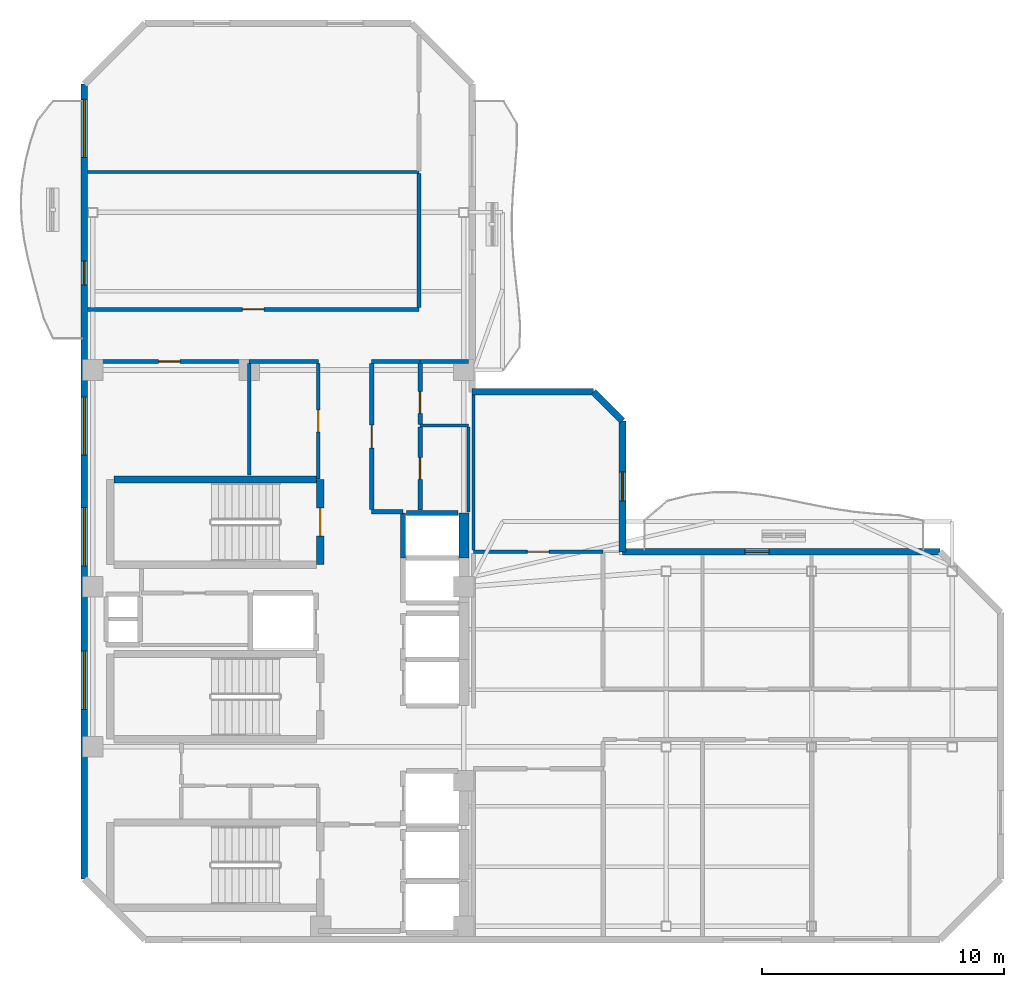
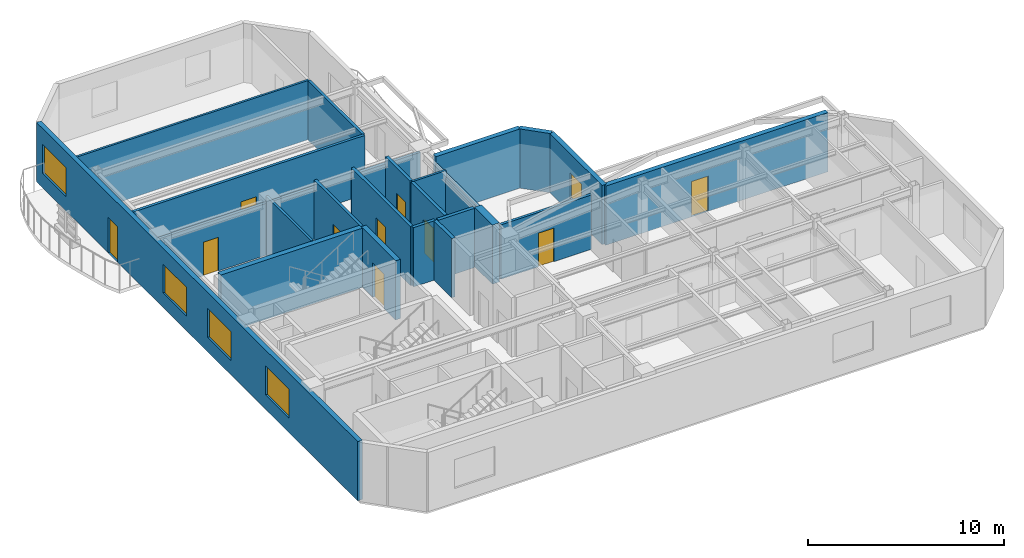
# One storey, part 4 of 7: 27 walls, 10 doors, 5 windows, 15 openings.
"""IFC4 building model written with IfcOpenShell, lengths in metres."""

from ifc_helpers import new_model, si_unit, direction, frame, frame_2d, origin, place, context, subcontext, project, spatial, rectangle, extrude, material, layer, layer_set, type_object, element, fill, save


model = new_model("IFC4")

# Units and contexts
model_context = context("Model", 3, precision=1e-05, world=origin(), true_north=direction((0.0, 1.0)))
body_context = subcontext(model_context, "Body", "Model", "MODEL_VIEW")
ifc_project = project(units=[si_unit("LENGTHUNIT", "METRE"), si_unit("AREAUNIT", "SQUARE_METRE"), si_unit("VOLUMEUNIT", "CUBIC_METRE"), si_unit("PLANEANGLEUNIT", "RADIAN"), si_unit("MASSUNIT", "GRAM", prefix="KILO")], contexts=[model_context])

# Site, building, storey
site_placement = place(None, origin())
site = spatial("IfcSite", under=ifc_project, at=site_placement, CompositionType="ELEMENT")
building_placement = place(site_placement, origin())
building = spatial("IfcBuilding", under=site, at=building_placement, Name="Mawjaban Terraces University", CompositionType="ELEMENT")
storey_placement = place(building_placement, frame((0.0, 0.0, 275.5)))
storey = spatial("IfcBuildingStorey", under=building, at=storey_placement, Name="L67", CompositionType="ELEMENT", Elevation=275.5)

# Walls
ifc_material_1 = material(Name="Acoustic masonry blockwork", Category="masonry")
ifc_layer_1 = layer(ifc_material_1, 0.179931640625)
ifc_layer_set_1 = layer_set([ifc_layer_1], Name="Acoustic masonry blockwork")
wall_type_1 = type_object("IfcWallType", Name="AcousticStudioWall_180", PredefinedType="PARTITIONING", material=ifc_layer_set_1)
wall_1_placement = place(storey_placement, frame((33.85009765625, 17.64990234375, 0.0), z_axis=(0.0, 0.0, 1.0), x_axis=(1.0, 0.0, 0.0)))
element("IfcWall", 1, at=wall_1_placement, inside=storey, type_object=wall_type_1, Name="L67 Graduate Research Collaboration Studio Partition 8", PredefinedType="PARTITIONING", context=body_context, shape_type="SweptSolid", body=[
    extrude(rectangle(XDim=1.2998046875, YDim=0.179931640625, at=frame_2d((0.64990234375, 0.0))), origin(), (0.0, 0.0, 1.0), 3.68994140625),
])
wall_2_placement = place(storey_placement, frame((35.85009765625, 23.85009765625, 0.0), z_axis=(0.0, 0.0, 1.0), x_axis=(-1.0, 0.0, 0.0)))
element("IfcWall", 2, at=wall_2_placement, inside=storey, type_object=wall_type_1, Name="L67 Graduate Research Collaboration Studio Partition 13", PredefinedType="PARTITIONING", context=body_context, shape_type="SweptSolid", body=[
    extrude(rectangle(XDim=2.0, YDim=0.179931640625, at=frame_2d((1.0, 0.0))), origin(), (0.0, 0.0, 1.0), 3.22705078125),
])

# Wall, opening, door
wall_3_placement = place(storey_placement, frame((33.85009765625, 17.735107421875, 0.0), z_axis=(0.0, 0.0, 1.0), x_axis=(0.0, 1.0, 0.0)))
wall_3 = element("IfcWall", 3, at=wall_3_placement, inside=storey, type_object=wall_type_1, Name="L67 Core North Lift Lobby Partition 32", PredefinedType="PARTITIONING", context=body_context, shape_type="SweptSolid", body=[
    extrude(rectangle(XDim=6.02978515625, YDim=0.179931640625, at=frame_2d((3.014892578125, 0.0))), origin(), (0.0, 0.0, 1.0), 3.68994140625),
])
opening_1_placement = place(wall_3_placement, frame((2.5400390625, 0.0, 0.0)))
opening_1 = element("IfcOpeningElement", 4, at=opening_1_placement, cuts=wall_3, Name="Opening ID-095", PredefinedType="OPENING", context=body_context, shape_type="SweptSolid", body=[
    extrude(rectangle(XDim=0.949951171875, YDim=2.10009765625, at=frame_2d((0.47509765625, 1.050048828125))), frame((0.0, 0.099853515625, 0.0), z_axis=(0.0, -1.0, 0.0), x_axis=(1.0, 0.0, 0.0)), (0.0, 0.0, 1.0), 0.199951171875),
])
ifc_material_2 = material(Name="Powder-coated steel frame and solid acoustic timber leaf", Category="steel")
door_type_1 = type_object("IfcDoorType", Name="StudioDoor_950x2100", OperationType="NOTDEFINED", PredefinedType="DOOR", material=ifc_material_2)
door_1_placement = place(opening_1_placement, origin())
door_1 = element("IfcDoor", 5, at=door_1_placement, inside=storey, type_object=door_type_1, Name="L67 Graduate Research Collaboration Studio Door", OperationType="SINGLE_SWING_LEFT", OverallHeight=2.10009765625, OverallWidth=0.949951171875, PredefinedType="DOOR", context=body_context, shape_type="SweptSolid", body=[
    extrude(rectangle(XDim=0.949951171875, YDim=2.10009765625, at=frame_2d((0.47509765625, 1.050048828125))), frame((0.0, 0.02490234375, 0.0), z_axis=(0.0, -1.0, 0.0), x_axis=(1.0, 0.0, 0.0)), (0.0, 0.0, 1.0), 0.050048828125),
])
fill(opening_1, door_1)

wall_4_placement = place(storey_placement, frame((35.85009765625, 17.72998046875, 0.0), z_axis=(0.0, 0.0, 1.0), x_axis=(0.0, 1.0, 0.0)))
wall_4 = element("IfcWall", 6, at=wall_4_placement, inside=storey, type_object=wall_type_1, Name="L67 Graduate Research Collaboration Studio Partition 35", PredefinedType="PARTITIONING", context=body_context, shape_type="SweptSolid", body=[
    extrude(rectangle(XDim=3.412109375, YDim=0.179931640625, at=frame_2d((1.7060546875, 0.0))), origin(), (0.0, 0.0, 1.0), 3.68994140625),
])
opening_2_placement = place(wall_4_placement, frame((1.256103515625, 0.0, 0.0)))
opening_2 = element("IfcOpeningElement", 7, at=opening_2_placement, cuts=wall_4, Name="Opening ID-090", PredefinedType="OPENING", context=body_context, shape_type="SweptSolid", body=[
    extrude(rectangle(XDim=0.89990234375, YDim=2.10009765625, at=frame_2d((0.449951171875, 1.050048828125))), frame((0.0, 0.099853515625, 0.0), z_axis=(0.0, -1.0, 0.0), x_axis=(1.0, 0.0, 0.0)), (0.0, 0.0, 1.0), 0.199951171875),
])
door_type_2 = type_object("IfcDoorType", Name="OfficeDoor_900x2100", OperationType="NOTDEFINED", PredefinedType="DOOR", material=ifc_material_2)
door_2_placement = place(opening_2_placement, origin())
door_2 = element("IfcDoor", 8, at=door_2_placement, inside=storey, type_object=door_type_2, Name="L67 Research Instrument Store Door", OperationType="SINGLE_SWING_LEFT", OverallHeight=2.10009765625, OverallWidth=0.89990234375, PredefinedType="DOOR", context=body_context, shape_type="SweptSolid", body=[
    extrude(rectangle(XDim=0.89990234375, YDim=2.10009765625, at=frame_2d((0.449951171875, 1.050048828125))), frame((0.0, 0.02490234375, 0.0), z_axis=(0.0, -1.0, 0.0), x_axis=(1.0, 0.0, 0.0)), (0.0, 0.0, 1.0), 0.050048828125),
])
fill(opening_2, door_2)

wall_5_placement = place(storey_placement, frame((35.85009765625, 21.258056640625, 0.0), z_axis=(0.0, 0.0, 1.0), x_axis=(0.0, 1.0, 0.0)))
wall_5 = element("IfcWall", 9, at=wall_5_placement, inside=storey, type_object=wall_type_1, Name="L67 Graduate Research Collaboration Studio Partition 36", PredefinedType="PARTITIONING", context=body_context, shape_type="SweptSolid", body=[
    extrude(rectangle(XDim=2.5068359375, YDim=0.179931640625, at=frame_2d((1.25341796875, 0.0))), origin(), (0.0, 0.0, 1.0), 3.68994140625),
])
opening_3_placement = place(wall_5_placement, frame((0.4541015625, 0.0, 0.0)))
opening_3 = element("IfcOpeningElement", 10, at=opening_3_placement, cuts=wall_5, Name="Opening ID-090", PredefinedType="OPENING", context=body_context, shape_type="SweptSolid", body=[
    extrude(rectangle(XDim=0.89990234375, YDim=2.10009765625, at=frame_2d((0.449951171875, 1.050048828125))), frame((0.0, 0.099853515625, 0.0), z_axis=(0.0, -1.0, 0.0), x_axis=(1.0, 0.0, 0.0)), (0.0, 0.0, 1.0), 0.199951171875),
])
door_3_placement = place(opening_3_placement, origin())
door_3 = element("IfcDoor", 11, at=door_3_placement, inside=storey, type_object=door_type_2, Name="L67 Graduate Quiet Study Alcove Door", OperationType="SINGLE_SWING_RIGHT", OverallHeight=2.10009765625, OverallWidth=0.89990234375, PredefinedType="DOOR", context=body_context, shape_type="SweptSolid", body=[
    extrude(rectangle(XDim=0.89990234375, YDim=2.10009765625, at=frame_2d((0.449951171875, 1.050048828125))), frame((0.0, 0.02490234375, 0.0), z_axis=(0.0, -1.0, 0.0), x_axis=(1.0, 0.0, 0.0)), (0.0, 0.0, 1.0), 0.050048828125),
])
fill(opening_3, door_3)

# Wall
ifc_material_3 = material(Name="Concrete C50/60", Category="concrete")
ifc_layer_2 = layer(ifc_material_3, 0.419921875)
ifc_layer_set_2 = layer_set([ifc_layer_2], Name="Concrete C50/60")
wall_type_2 = type_object("IfcWallType", Name="CoreShearWall_420", PredefinedType="SHEAR", material=ifc_layer_set_2)
wall_6_placement = place(storey_placement, frame((37.659912109375, 15.75, 0.0), z_axis=(0.0, 0.0, 1.0), x_axis=(0.0, 1.0, 0.0)))
element("IfcWall", 12, at=wall_6_placement, inside=storey, type_object=wall_type_2, Name="L67 Lift OL-2 Hoistway Wall East", PredefinedType="SHEAR", context=body_context, shape_type="SweptSolid", body=[
    extrude(rectangle(XDim=1.85009765625, YDim=0.419921875, at=frame_2d((0.925048828125, 0.0))), origin(), (0.0, 0.0, 1.0), 3.68994140625),
])

# Wall, opening, door
ifc_material_4 = material(Name="Fire-rated gypsum board on steel stud", Category="steel")
ifc_layer_3 = layer(ifc_material_4, 0.159912109375)
ifc_layer_set_3 = layer_set([ifc_layer_3], Name="Fire-rated gypsum board on steel stud")
wall_type_3 = type_object("IfcWallType", Name="CorridorPartition_160", PredefinedType="PARTITIONING", material=ifc_layer_set_3)
wall_7_placement = place(storey_placement, frame((28.800048828125, 23.85009765625, 0.0), z_axis=(0.0, 0.0, 1.0), x_axis=(-1.0, 0.0, 0.0)))
wall_7 = element("IfcWall", 13, at=wall_7_placement, inside=storey, type_object=wall_type_3, Name="L67 Female Toilet Partition 4", PredefinedType="PARTITIONING", context=body_context, shape_type="SweptSolid", body=[
    extrude(rectangle(XDim=6.60009765625, YDim=0.159912109375, at=frame_2d((3.300048828125, 0.0))), origin(), (0.0, 0.0, 1.0), 3.22705078125),
])
opening_4_placement = place(wall_7_placement, frame((2.860107421875, 0.0, 0.0)))
opening_4 = element("IfcOpeningElement", 14, at=opening_4_placement, cuts=wall_7, Name="Opening ID-088", PredefinedType="OPENING", context=body_context, shape_type="SweptSolid", body=[
    extrude(rectangle(XDim=0.8798828125, YDim=2.10009765625, at=frame_2d((0.43994140625, 1.050048828125))), frame((0.0, 0.08984375, 0.0), z_axis=(0.0, -1.0, 0.0), x_axis=(1.0, 0.0, 0.0)), (0.0, 0.0, 1.0), 0.179931640625),
])
door_type_3 = type_object("IfcDoorType", Name="ToiletDoor_880x2100", OperationType="NOTDEFINED", PredefinedType="DOOR", material=ifc_material_2)
door_4_placement = place(opening_4_placement, origin())
door_4 = element("IfcDoor", 15, at=door_4_placement, inside=storey, type_object=door_type_3, Name="L67 Female Toilet Door", OperationType="SINGLE_SWING_LEFT", OverallHeight=2.10009765625, OverallWidth=0.8798828125, PredefinedType="DOOR", context=body_context, shape_type="SweptSolid", body=[
    extrude(rectangle(XDim=0.8798828125, YDim=2.10009765625, at=frame_2d((0.43994140625, 1.050048828125))), frame((0.0, 0.02490234375, 0.0), z_axis=(0.0, -1.0, 0.0), x_axis=(1.0, 0.0, 0.0)), (0.0, 0.0, 1.0), 0.050048828125),
])
fill(opening_4, door_4)

# Wall
wall_8_placement = place(storey_placement, frame((31.64990234375, 23.85009765625, 0.0), z_axis=(0.0, 0.0, 1.0), x_axis=(-1.0, 0.0, 0.0)))
element("IfcWall", 16, at=wall_8_placement, inside=storey, type_object=wall_type_3, Name="L67 Faculty Academic Resource Office Partition 7", PredefinedType="PARTITIONING", context=body_context, shape_type="SweptSolid", body=[
    extrude(rectangle(XDim=2.849853515625, YDim=0.159912109375, at=frame_2d((1.4248046875, 0.0))), origin(), (0.0, 0.0, 1.0), 3.22705078125),
])

# Wall, opening, door
wall_9_placement = place(storey_placement, frame((35.800048828125, 26.0, 0.0), z_axis=(0.0, 0.0, 1.0), x_axis=(-1.0, 0.0, 0.0)))
wall_9 = element("IfcWall", 17, at=wall_9_placement, inside=storey, type_object=wall_type_3, Name="L67 North Core Cross-Corridor Partition 10", PredefinedType="PARTITIONING", context=body_context, shape_type="SweptSolid", body=[
    extrude(rectangle(XDim=13.6669921875, YDim=0.159912109375, at=frame_2d((6.83349609375, 0.0))), origin(), (0.0, 0.0, 1.0), 3.68994140625),
])
opening_5_placement = place(wall_9_placement, frame((6.383056640625, 0.0, 0.0)))
opening_5 = element("IfcOpeningElement", 18, at=opening_5_placement, cuts=wall_9, Name="Opening ID-090", PredefinedType="OPENING", context=body_context, shape_type="SweptSolid", body=[
    extrude(rectangle(XDim=0.89990234375, YDim=2.10009765625, at=frame_2d((0.449951171875, 1.050048828125))), frame((0.0, 0.08984375, 0.0), z_axis=(0.0, -1.0, 0.0), x_axis=(1.0, 0.0, 0.0)), (0.0, 0.0, 1.0), 0.179931640625),
])
door_5_placement = place(opening_5_placement, origin())
door_5 = element("IfcDoor", 19, at=door_5_placement, inside=storey, type_object=door_type_2, Name="L67 Seminar Room 10 Door", OperationType="SINGLE_SWING_LEFT", OverallHeight=2.10009765625, OverallWidth=0.89990234375, PredefinedType="DOOR", context=body_context, shape_type="SweptSolid", body=[
    extrude(rectangle(XDim=0.89990234375, YDim=2.10009765625, at=frame_2d((0.449951171875, 1.050048828125))), frame((0.0, 0.02490234375, 0.0), z_axis=(0.0, -1.0, 0.0), x_axis=(1.0, 0.0, 0.0)), (0.0, 0.0, 1.0), 0.050048828125),
])
fill(opening_5, door_5)

# Wall
wall_10_placement = place(storey_placement, frame((37.85009765625, 23.85009765625, 0.0), z_axis=(0.0, 0.0, 1.0), x_axis=(-1.0, 0.0, 0.0)))
element("IfcWall", 20, at=wall_10_placement, inside=storey, type_object=wall_type_3, Name="L67 Graduate Quiet Study Alcove Partition 14", PredefinedType="PARTITIONING", context=body_context, shape_type="SweptSolid", body=[
    extrude(rectangle(XDim=2.0, YDim=0.159912109375, at=frame_2d((1.0, 0.0))), origin(), (0.0, 0.0, 1.0), 3.22705078125),
])

# Wall, opening, door
wall_11_placement = place(storey_placement, frame((43.39990234375, 16.0, 0.0), z_axis=(0.0, 0.0, 1.0), x_axis=(-1.0, 0.0, 0.0)))
wall_11 = element("IfcWall", 21, at=wall_11_placement, inside=storey, type_object=wall_type_3, Name="L67 Upper Research Hub Concourse Partition 17", PredefinedType="PARTITIONING", context=body_context, shape_type="SweptSolid", body=[
    extrude(rectangle(XDim=5.349853515625, YDim=0.159912109375, at=frame_2d((2.6748046875, 0.0))), origin(), (0.0, 0.0, 1.0), 3.389892578125),
])
opening_6_placement = place(wall_11_placement, frame((2.22509765625, 0.0, 0.0)))
opening_6 = element("IfcOpeningElement", 22, at=opening_6_placement, cuts=wall_11, Name="Opening ID-090", PredefinedType="OPENING", context=body_context, shape_type="SweptSolid", body=[
    extrude(rectangle(XDim=0.89990234375, YDim=2.10009765625, at=frame_2d((0.449951171875, 1.050048828125))), frame((0.0, 0.08984375, 0.0), z_axis=(0.0, -1.0, 0.0), x_axis=(1.0, 0.0, 0.0)), (0.0, 0.0, 1.0), 0.179931640625),
])
door_6_placement = place(opening_6_placement, origin())
door_6 = element("IfcDoor", 23, at=door_6_placement, inside=storey, type_object=door_type_2, Name="L67 Terrace Collaborative Study Room Door", OperationType="SINGLE_SWING_LEFT", OverallHeight=2.10009765625, OverallWidth=0.89990234375, PredefinedType="DOOR", context=body_context, shape_type="SweptSolid", body=[
    extrude(rectangle(XDim=0.89990234375, YDim=2.10009765625, at=frame_2d((0.449951171875, 1.050048828125))), frame((0.0, 0.02490234375, 0.0), z_axis=(0.0, -1.0, 0.0), x_axis=(1.0, 0.0, 0.0)), (0.0, 0.0, 1.0), 0.050048828125),
])
fill(opening_6, door_6)

wall_12_placement = place(storey_placement, frame((31.64990234375, 19.010009765625, 0.0), z_axis=(0.0, 0.0, 1.0), x_axis=(0.0, 1.0, 0.0)))
wall_12 = element("IfcWall", 24, at=wall_12_placement, inside=storey, type_object=wall_type_3, Name="L67 Faculty Academic Resource Office Partition 31", PredefinedType="PARTITIONING", context=body_context, shape_type="SweptSolid", body=[
    extrude(rectangle(XDim=4.764892578125, YDim=0.159912109375, at=frame_2d((2.38232421875, 0.0))), origin(), (0.0, 0.0, 1.0), 3.68994140625),
])
opening_7_placement = place(wall_12_placement, frame((1.931884765625, 0.0, 0.0)))
opening_7 = element("IfcOpeningElement", 25, at=opening_7_placement, cuts=wall_12, Name="Opening ID-090", PredefinedType="OPENING", context=body_context, shape_type="SweptSolid", body=[
    extrude(rectangle(XDim=0.89990234375, YDim=2.10009765625, at=frame_2d((0.449951171875, 1.050048828125))), frame((0.0, 0.08984375, 0.0), z_axis=(0.0, -1.0, 0.0), x_axis=(1.0, 0.0, 0.0)), (0.0, 0.0, 1.0), 0.179931640625),
])
door_7_placement = place(opening_7_placement, origin())
door_7 = element("IfcDoor", 26, at=door_7_placement, inside=storey, type_object=door_type_2, Name="L67 Faculty Academic Resource Office Door", OperationType="SINGLE_SWING_RIGHT", OverallHeight=2.10009765625, OverallWidth=0.89990234375, PredefinedType="DOOR", context=body_context, shape_type="SweptSolid", body=[
    extrude(rectangle(XDim=0.89990234375, YDim=2.10009765625, at=frame_2d((0.449951171875, 1.050048828125))), frame((0.0, 0.02490234375, 0.0), z_axis=(0.0, -1.0, 0.0), x_axis=(1.0, 0.0, 0.0)), (0.0, 0.0, 1.0), 0.050048828125),
])
fill(opening_7, door_7)

# Wall
wall_13_placement = place(storey_placement, frame((35.800048828125, 31.60205078125, 0.0), z_axis=(0.0, 0.0, 1.0), x_axis=(0.0, -1.0, 0.0)))
element("IfcWall", 27, at=wall_13_placement, inside=storey, type_object=wall_type_3, Name="L67 Upper North Research Gallery Partition 33", PredefinedType="PARTITIONING", context=body_context, shape_type="SweptSolid", body=[
    extrude(rectangle(XDim=5.527099609375, YDim=0.159912109375, at=frame_2d((2.763671875, 0.0))), origin(), (0.0, 0.0, 1.0), 3.68994140625),
])

# Wall, opening, door
ifc_material_5 = material(Name="Insulated terracotta rainscreen on concrete backup C40/50", Category="masonry")
ifc_layer_4 = layer(ifc_material_5, 0.27490234375)
ifc_layer_set_4 = layer_set([ifc_layer_4], Name="Insulated terracotta rainscreen on concrete backup C40/50")
wall_type_4 = type_object("IfcWallType", Name="ExtTerracottaWall_275", PredefinedType="SOLIDWALL", material=ifc_layer_set_4)
wall_14_placement = place(storey_placement, frame((57.300048828125, 16.0, 0.0), z_axis=(0.0, 0.0, 1.0), x_axis=(-1.0, 0.0, 0.0)))
wall_14 = element("IfcWall", 28, at=wall_14_placement, inside=storey, type_object=wall_type_4, Name="L67 Exterior Terracotta Wall 5", PredefinedType="SOLIDWALL", context=body_context, shape_type="SweptSolid", body=[
    extrude(rectangle(XDim=13.10009765625, YDim=0.27490234375, at=frame_2d((6.550048828125, 0.0))), origin(), (0.0, 0.0, 1.0), 3.68994140625),
])
opening_8_placement = place(wall_14_placement, frame((7.050048828125, 0.0, 0.0)))
opening_8 = element("IfcOpeningElement", 29, at=opening_8_placement, cuts=wall_14, Name="Opening BD-100", PredefinedType="OPENING", context=body_context, shape_type="SweptSolid", body=[
    extrude(rectangle(XDim=1.0, YDim=2.199951171875, at=frame_2d((0.5, 1.10009765625))), frame((0.0, 0.1474609375, 0.0), z_axis=(0.0, -1.0, 0.0), x_axis=(1.0, 0.0, 0.0)), (0.0, 0.0, 1.0), 0.294921875),
])
ifc_material_6 = material(Name="Thermally broken anodised aluminium and laminated safety glass", Category="aluminium")
door_type_4 = type_object("IfcDoorType", Name="BalconyGlazedDoor_1000x2200", OperationType="NOTDEFINED", PredefinedType="DOOR", material=ifc_material_6)
door_8_placement = place(opening_8_placement, origin())
door_8 = element("IfcDoor", 30, at=door_8_placement, inside=storey, type_object=door_type_4, Name="L67 Balcony Access Door inner_north", OperationType="SINGLE_SWING_RIGHT", OverallHeight=2.199951171875, OverallWidth=1.0, PredefinedType="DOOR", context=body_context, shape_type="SweptSolid", body=[
    extrude(rectangle(XDim=1.0, YDim=2.199951171875, at=frame_2d((0.5, 1.10009765625))), frame((0.0, 0.02490234375, 0.0), z_axis=(0.0, -1.0, 0.0), x_axis=(1.0, 0.0, 0.0)), (0.0, 0.0, 1.0), 0.050048828125),
])
fill(opening_8, door_8)

# Wall, opening, window
wall_15_placement = place(storey_placement, frame((44.199951171875, 16.0, 0.0), z_axis=(0.0, 0.0, 1.0), x_axis=(0.0, 1.0, 0.0)))
wall_15 = element("IfcWall", 31, at=wall_15_placement, inside=storey, type_object=wall_type_4, Name="L67 Exterior Terracotta Wall 6", PredefinedType="SOLIDWALL", context=body_context, shape_type="SweptSolid", body=[
    extrude(rectangle(XDim=5.39990234375, YDim=0.27490234375, at=frame_2d((2.699951171875, 0.0))), origin(), (0.0, 0.0, 1.0), 3.68994140625),
])
opening_9_placement = place(wall_15_placement, frame((2.10009765625, 0.0, 0.89990234375)))
opening_9 = element("IfcOpeningElement", 32, at=opening_9_placement, cuts=wall_15, Name="Opening W-01", PredefinedType="OPENING", context=body_context, shape_type="SweptSolid", body=[
    extrude(rectangle(XDim=1.199951171875, YDim=1.60009765625, at=frame_2d((0.60009765625, 0.800048828125))), frame((0.0, 0.1474609375, 0.0), z_axis=(0.0, -1.0, 0.0), x_axis=(1.0, 0.0, 0.0)), (0.0, 0.0, 1.0), 0.294921875),
])
ifc_material_7 = material(Name="Low-E solar-control double glazing in thermally broken aluminium frame", Category="aluminium")
window_type_1 = type_object("IfcWindowType", Name="Win_1200x1600", PartitioningType="SINGLE_PANEL", PredefinedType="WINDOW", material=ifc_material_7)
window_1_placement = place(opening_9_placement, origin())
window_1 = element("IfcWindow", 33, at=window_1_placement, inside=storey, type_object=window_type_1, Name="L67 Facade Window 6.1", OverallHeight=1.60009765625, OverallWidth=1.199951171875, PartitioningType="SINGLE_PANEL", PredefinedType="WINDOW", context=body_context, shape_type="SweptSolid", body=[
    extrude(rectangle(XDim=1.199951171875, YDim=1.60009765625, at=frame_2d((0.60009765625, 0.800048828125))), frame((0.0, 0.030029296875, 0.0), z_axis=(0.0, -1.0, 0.0), x_axis=(1.0, 0.0, 0.0)), (0.0, 0.0, 1.0), 0.06005859375),
])
fill(opening_9, window_1)

# Walls
wall_16_placement = place(storey_placement, frame((44.199951171875, 21.39990234375, 0.0), z_axis=(0.0, 0.0, 1.0), x_axis=(-0.707034851297, 0.707178703759, 0.0)))
element("IfcWall", 34, at=wall_16_placement, inside=storey, type_object=wall_type_4, Name="L67 Exterior Terracotta Wall 7", PredefinedType="SOLIDWALL", context=body_context, shape_type="SweptSolid", body=[
    extrude(rectangle(XDim=1.697265625, YDim=0.27490234375, at=frame_2d((0.8486328125, 0.0))), origin(), (0.0, 0.0, 1.0), 3.68994140625),
])
wall_17_placement = place(storey_placement, frame((43.0, 22.60009765625, 0.0), z_axis=(0.0, 0.0, 1.0), x_axis=(-1.0, 0.0, 0.0)))
element("IfcWall", 35, at=wall_17_placement, inside=storey, type_object=wall_type_4, Name="L67 Exterior Terracotta Wall 8", PredefinedType="SOLIDWALL", context=body_context, shape_type="SweptSolid", body=[
    extrude(rectangle(XDim=5.0, YDim=0.27490234375, at=frame_2d((2.5, 0.0))), origin(), (0.0, 0.0, 1.0), 3.68994140625),
])

# Wall, openings, door, windows
wall_18_placement = place(storey_placement, frame((22.0, 35.300048828125, 0.0), z_axis=(0.0, 0.0, 1.0), x_axis=(0.0, -1.0, 0.0)))
wall_18 = element("IfcWall", 36, at=wall_18_placement, inside=storey, type_object=wall_type_4, Name="L67 Exterior Terracotta Wall 13", PredefinedType="SOLIDWALL", context=body_context, shape_type="SweptSolid", body=[
    extrude(rectangle(XDim=32.800048828125, YDim=0.27490234375, at=frame_2d((16.39990234375, 0.0))), origin(), (0.0, 0.0, 1.0), 3.68994140625),
])
opening_10_placement = place(wall_18_placement, frame((7.300048828125, 0.0, 0.0)))
opening_10 = element("IfcOpeningElement", 37, at=opening_10_placement, cuts=wall_18, Name="Opening BD-100", PredefinedType="OPENING", context=body_context, shape_type="SweptSolid", body=[
    extrude(rectangle(XDim=1.0, YDim=2.199951171875, at=frame_2d((0.5, 1.10009765625))), frame((0.0, 0.1474609375, 0.0), z_axis=(0.0, -1.0, 0.0), x_axis=(1.0, 0.0, 0.0)), (0.0, 0.0, 1.0), 0.294921875),
])
opening_11_placement = place(wall_18_placement, frame((0.633056640625, 0.0, 0.89990234375)))
opening_11 = element("IfcOpeningElement", 38, at=opening_11_placement, cuts=wall_18, Name="Opening W-08", PredefinedType="OPENING", context=body_context, shape_type="SweptSolid", body=[
    extrude(rectangle(XDim=2.39990234375, YDim=1.800048828125, at=frame_2d((1.199951171875, 0.89990234375))), frame((0.0, 0.1474609375, 0.0), z_axis=(0.0, -1.0, 0.0), x_axis=(1.0, 0.0, 0.0)), (0.0, 0.0, 1.0), 0.294921875),
])
opening_12_placement = place(wall_18_placement, frame((12.9169921875, 0.0, 0.89990234375)))
opening_12 = element("IfcOpeningElement", 39, at=opening_12_placement, cuts=wall_18, Name="Opening W-08", PredefinedType="OPENING", context=body_context, shape_type="SweptSolid", body=[
    extrude(rectangle(XDim=2.39990234375, YDim=1.800048828125, at=frame_2d((1.199951171875, 0.89990234375))), frame((0.0, 0.1474609375, 0.0), z_axis=(0.0, -1.0, 0.0), x_axis=(1.0, 0.0, 0.0)), (0.0, 0.0, 1.0), 0.294921875),
])
opening_13_placement = place(wall_18_placement, frame((17.48291015625, 0.0, 0.89990234375)))
opening_13 = element("IfcOpeningElement", 40, at=opening_13_placement, cuts=wall_18, Name="Opening W-08", PredefinedType="OPENING", context=body_context, shape_type="SweptSolid", body=[
    extrude(rectangle(XDim=2.39990234375, YDim=1.800048828125, at=frame_2d((1.199951171875, 0.89990234375))), frame((0.0, 0.1474609375, 0.0), z_axis=(0.0, -1.0, 0.0), x_axis=(1.0, 0.0, 0.0)), (0.0, 0.0, 1.0), 0.294921875),
])
opening_14_placement = place(wall_18_placement, frame((23.39990234375, 0.0, 0.89990234375)))
opening_14 = element("IfcOpeningElement", 41, at=opening_14_placement, cuts=wall_18, Name="Opening W-08", PredefinedType="OPENING", context=body_context, shape_type="SweptSolid", body=[
    extrude(rectangle(XDim=2.39990234375, YDim=1.800048828125, at=frame_2d((1.199951171875, 0.89990234375))), frame((0.0, 0.1474609375, 0.0), z_axis=(0.0, -1.0, 0.0), x_axis=(1.0, 0.0, 0.0)), (0.0, 0.0, 1.0), 0.294921875),
])
door_9_placement = place(opening_10_placement, origin())
door_9 = element("IfcDoor", 42, at=door_9_placement, inside=storey, type_object=door_type_4, Name="L67 Balcony Access Door west", OperationType="SINGLE_SWING_RIGHT", OverallHeight=2.199951171875, OverallWidth=1.0, PredefinedType="DOOR", context=body_context, shape_type="SweptSolid", body=[
    extrude(rectangle(XDim=1.0, YDim=2.199951171875, at=frame_2d((0.5, 1.10009765625))), frame((0.0, 0.02490234375, 0.0), z_axis=(0.0, -1.0, 0.0), x_axis=(1.0, 0.0, 0.0)), (0.0, 0.0, 1.0), 0.050048828125),
])
fill(opening_10, door_9)
window_type_2 = type_object("IfcWindowType", Name="Win_2400x1800", PartitioningType="SINGLE_PANEL", PredefinedType="WINDOW", material=ifc_material_7)
window_2_placement = place(opening_11_placement, origin())
window_2 = element("IfcWindow", 43, at=window_2_placement, inside=storey, type_object=window_type_2, Name="L67 Facade Window 13.1", OverallHeight=1.800048828125, OverallWidth=2.39990234375, PartitioningType="SINGLE_PANEL", PredefinedType="WINDOW", context=body_context, shape_type="SweptSolid", body=[
    extrude(rectangle(XDim=2.39990234375, YDim=1.800048828125, at=frame_2d((1.199951171875, 0.89990234375))), frame((0.0, 0.030029296875, 0.0), z_axis=(0.0, -1.0, 0.0), x_axis=(1.0, 0.0, 0.0)), (0.0, 0.0, 1.0), 0.06005859375),
])
fill(opening_11, window_2)
window_3_placement = place(opening_12_placement, origin())
window_3 = element("IfcWindow", 44, at=window_3_placement, inside=storey, type_object=window_type_2, Name="L67 Facade Window 13.3", OverallHeight=1.800048828125, OverallWidth=2.39990234375, PartitioningType="SINGLE_PANEL", PredefinedType="WINDOW", context=body_context, shape_type="SweptSolid", body=[
    extrude(rectangle(XDim=2.39990234375, YDim=1.800048828125, at=frame_2d((1.199951171875, 0.89990234375))), frame((0.0, 0.030029296875, 0.0), z_axis=(0.0, -1.0, 0.0), x_axis=(1.0, 0.0, 0.0)), (0.0, 0.0, 1.0), 0.06005859375),
])
fill(opening_12, window_3)
window_4_placement = place(opening_13_placement, origin())
window_4 = element("IfcWindow", 45, at=window_4_placement, inside=storey, type_object=window_type_2, Name="L67 Facade Window 13.4", OverallHeight=1.800048828125, OverallWidth=2.39990234375, PartitioningType="SINGLE_PANEL", PredefinedType="WINDOW", context=body_context, shape_type="SweptSolid", body=[
    extrude(rectangle(XDim=2.39990234375, YDim=1.800048828125, at=frame_2d((1.199951171875, 0.89990234375))), frame((0.0, 0.030029296875, 0.0), z_axis=(0.0, -1.0, 0.0), x_axis=(1.0, 0.0, 0.0)), (0.0, 0.0, 1.0), 0.06005859375),
])
fill(opening_13, window_4)
window_5_placement = place(opening_14_placement, origin())
window_5 = element("IfcWindow", 46, at=window_5_placement, inside=storey, type_object=window_type_2, Name="L67 Facade Window 13.5", OverallHeight=1.800048828125, OverallWidth=2.39990234375, PartitioningType="SINGLE_PANEL", PredefinedType="WINDOW", context=body_context, shape_type="SweptSolid", body=[
    extrude(rectangle(XDim=2.39990234375, YDim=1.800048828125, at=frame_2d((1.199951171875, 0.89990234375))), frame((0.0, 0.030029296875, 0.0), z_axis=(0.0, -1.0, 0.0), x_axis=(1.0, 0.0, 0.0)), (0.0, 0.0, 1.0), 0.06005859375),
])
fill(opening_14, window_5)

# Walls
ifc_material_8 = material(Name="Concrete C40/50", Category="concrete")
ifc_layer_5 = layer(ifc_material_8, 0.199951171875)
ifc_layer_set_5 = layer_set([ifc_layer_5], Name="Concrete C40/50")
wall_type_5 = type_object("IfcWallType", Name="FireLobbyWall_200", PredefinedType="SOLIDWALL", material=ifc_layer_set_5)
wall_19_placement = place(storey_placement, frame((35.14990234375, 17.60009765625, 0.0), z_axis=(0.0, 0.0, 1.0), x_axis=(0.0, -1.0, 0.0)))
element("IfcWall", 47, at=wall_19_placement, inside=storey, type_object=wall_type_5, Name="L67 Lift OL-2 Hoistway Wall West", PredefinedType="SOLIDWALL", context=body_context, shape_type="SweptSolid", body=[
    extrude(rectangle(XDim=1.85009765625, YDim=0.199951171875, at=frame_2d((0.925048828125, 0.0))), origin(), (0.0, 0.0, 1.0), 3.68994140625),
])
wall_20_placement = place(storey_placement, frame((37.419921875, 17.60009765625, 0.0), z_axis=(0.0, 0.0, 1.0), x_axis=(-1.0, 0.0, 0.0)))
element("IfcWall", 48, at=wall_20_placement, inside=storey, type_object=wall_type_5, Name="L67 Lift OL-2 Hoistway Wall North", PredefinedType="SOLIDWALL", context=body_context, shape_type="SweptSolid", body=[
    extrude(rectangle(XDim=2.139892578125, YDim=0.199951171875, at=frame_2d((1.06982421875, 0.0))), origin(), (0.0, 0.0, 1.0), 3.68994140625),
])
ifc_material_9 = material(Name="Gypsum plasterboard on steel stud", Category="steel")
ifc_layer_6 = layer(ifc_material_9, 0.125)
ifc_layer_set_6 = layer_set([ifc_layer_6], Name="Gypsum plasterboard on steel stud")
wall_type_6 = type_object("IfcWallType", Name="OfficePartition_125", PredefinedType="PARTITIONING", material=ifc_layer_set_6)
wall_21_placement = place(storey_placement, frame((35.800048828125, 31.659912109375, 0.0), z_axis=(0.0, 0.0, 1.0), x_axis=(-1.0, 0.0, 0.0)))
element("IfcWall", 49, at=wall_21_placement, inside=storey, type_object=wall_type_6, Name="L67 Seminar Room 10 Partition 11", PredefinedType="PARTITIONING", context=body_context, shape_type="SweptSolid", body=[
    extrude(rectangle(XDim=13.6669921875, YDim=0.125, at=frame_2d((6.83349609375, 0.0))), origin(), (0.0, 0.0, 1.0), 3.68994140625),
])
wall_22_placement = place(storey_placement, frame((35.85009765625, 21.199951171875, 0.0), z_axis=(0.0, 0.0, 1.0), x_axis=(1.0, 0.0, 0.0)))
element("IfcWall", 50, at=wall_22_placement, inside=storey, type_object=wall_type_6, Name="L67 Graduate Quiet Study Alcove Partition 12", PredefinedType="PARTITIONING", context=body_context, shape_type="SweptSolid", body=[
    extrude(rectangle(XDim=2.0, YDim=0.125, at=frame_2d((1.0, 0.0))), origin(), (0.0, 0.0, 1.0), 3.68994140625),
])
wall_23_placement = place(storey_placement, frame((37.85009765625, 17.64990234375, 0.0), z_axis=(0.0, 0.0, 1.0), x_axis=(0.0, 1.0, 0.0)))
element("IfcWall", 51, at=wall_23_placement, inside=storey, type_object=wall_type_6, Name="L67 Research Instrument Store Partition 37", PredefinedType="PARTITIONING", context=body_context, shape_type="SweptSolid", body=[
    extrude(rectangle(XDim=3.4921875, YDim=0.125, at=frame_2d((1.74609375, 0.0))), origin(), (0.0, 0.0, 1.0), 3.22705078125),
])
wall_24_placement = place(storey_placement, frame((38.050048828125, 22.468017578125, 0.0), z_axis=(0.0, 0.0, 1.0), x_axis=(0.0, -1.0, 0.0)))
element("IfcWall", 52, at=wall_24_placement, inside=storey, type_object=wall_type_6, Name="L67 Terrace Collaborative Study Room Partition 40", PredefinedType="PARTITIONING", context=body_context, shape_type="SweptSolid", body=[
    extrude(rectangle(XDim=6.39306640625, YDim=0.125, at=frame_2d((3.196533203125, 0.0))), origin(), (0.0, 0.0, 1.0), 3.22705078125),
])
ifc_material_10 = material(Name="Concrete C60/75", Category="concrete")
ifc_layer_7 = layer(ifc_material_10, 0.300048828125)
ifc_layer_set_7 = layer_set([ifc_layer_7], Name="Concrete C60/75")
wall_type_7 = type_object("IfcWallType", Name="StairShaftWall_300", PredefinedType="SHEAR", material=ifc_layer_set_7)
wall_25_placement = place(storey_placement, frame((31.580078125, 18.97998046875, 0.0), z_axis=(0.0, 0.0, 1.0), x_axis=(-1.0, 0.0, 0.0)))
element("IfcWall", 53, at=wall_25_placement, inside=storey, type_object=wall_type_7, Name="L67 ST-2 Stair Shaft Wall 1", PredefinedType="SHEAR", context=body_context, shape_type="SweptSolid", body=[
    extrude(rectangle(XDim=8.360107421875, YDim=0.300048828125, at=frame_2d((4.18017578125, 0.0))), origin(), (0.0, 0.0, 1.0), 3.68994140625),
])

# Wall, opening, door
wall_26_placement = place(storey_placement, frame((31.72998046875, 15.469970703125, 0.0), z_axis=(0.0, 0.0, 1.0), x_axis=(0.0, 1.0, 0.0)))
wall_26 = element("IfcWall", 54, at=wall_26_placement, inside=storey, type_object=wall_type_7, Name="L67 ST-2 Stair Shaft Wall 4", PredefinedType="SHEAR", context=body_context, shape_type="SweptSolid", body=[
    extrude(rectangle(XDim=3.510009765625, YDim=0.300048828125, at=frame_2d((1.7548828125, 0.0))), origin(), (0.0, 0.0, 1.0), 3.68994140625),
])
opening_15_placement = place(wall_26_placement, frame((1.179931640625, 0.0, 0.0)))
opening_15 = element("IfcOpeningElement", 55, at=opening_15_placement, cuts=wall_26, Name="Opening FD-115", PredefinedType="OPENING", context=body_context, shape_type="SweptSolid", body=[
    extrude(rectangle(XDim=1.14990234375, YDim=2.14990234375, at=frame_2d((0.574951171875, 1.074951171875))), frame((0.0, 0.159912109375, 0.0), z_axis=(0.0, -1.0, 0.0), x_axis=(1.0, 0.0, 0.0)), (0.0, 0.0, 1.0), 0.320068359375),
])
ifc_material_11 = material(Name="Powder-coated steel frame and fire-rated steel-faced leaf", Category="steel")
door_type_5 = type_object("IfcDoorType", Name="FireStairDoor_1150x2150", OperationType="NOTDEFINED", PredefinedType="DOOR", material=ifc_material_11)
door_10_placement = place(opening_15_placement, origin())
door_10 = element("IfcDoor", 56, at=door_10_placement, inside=storey, type_object=door_type_5, Name="L67 ST-2 Pressurised Stair Fire Door", OperationType="SINGLE_SWING_RIGHT", OverallHeight=2.14990234375, OverallWidth=1.14990234375, PredefinedType="DOOR", context=body_context, shape_type="SweptSolid", body=[
    extrude(rectangle(XDim=1.14990234375, YDim=2.14990234375, at=frame_2d((0.574951171875, 1.074951171875))), frame((0.0, 0.02490234375, 0.0), z_axis=(0.0, -1.0, 0.0), x_axis=(1.0, 0.0, 0.0)), (0.0, 0.0, 1.0), 0.050048828125),
])
fill(opening_15, door_10)

# Wall
ifc_material_12 = material(Name="Cement-board wet-room partition", Category="masonry")
ifc_layer_8 = layer(ifc_material_12, 0.135009765625)
ifc_layer_set_8 = layer_set([ifc_layer_8], Name="Cement-board wet-room partition")
wall_type_8 = type_object("IfcWallType", Name="WetRoomPartition_135", PredefinedType="PARTITIONING", material=ifc_layer_set_8)
wall_27_placement = place(storey_placement, frame((28.800048828125, 23.77490234375, 0.0), z_axis=(0.0, 0.0, 1.0), x_axis=(0.0, -1.0, 0.0)))
element("IfcWall", 57, at=wall_27_placement, inside=storey, type_object=wall_type_8, Name="L67 Faculty Academic Resource Office Partition 28", PredefinedType="PARTITIONING", context=body_context, shape_type="SweptSolid", body=[
    extrude(rectangle(XDim=4.614990234375, YDim=0.135009765625, at=frame_2d((2.3076171875, 0.0))), origin(), (0.0, 0.0, 1.0), 3.68994140625),
])

save(model, "model.ifc")
